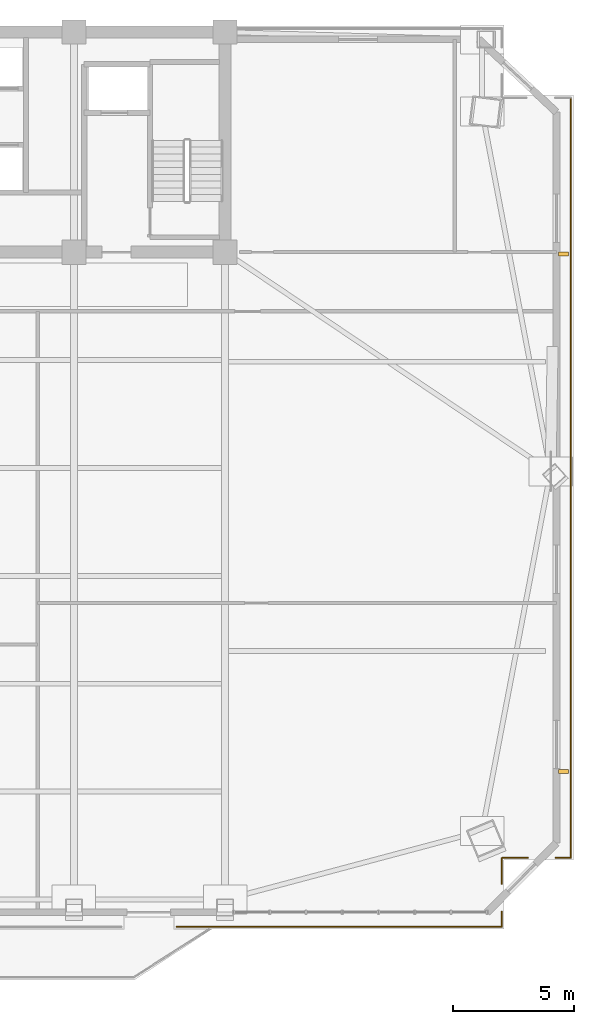
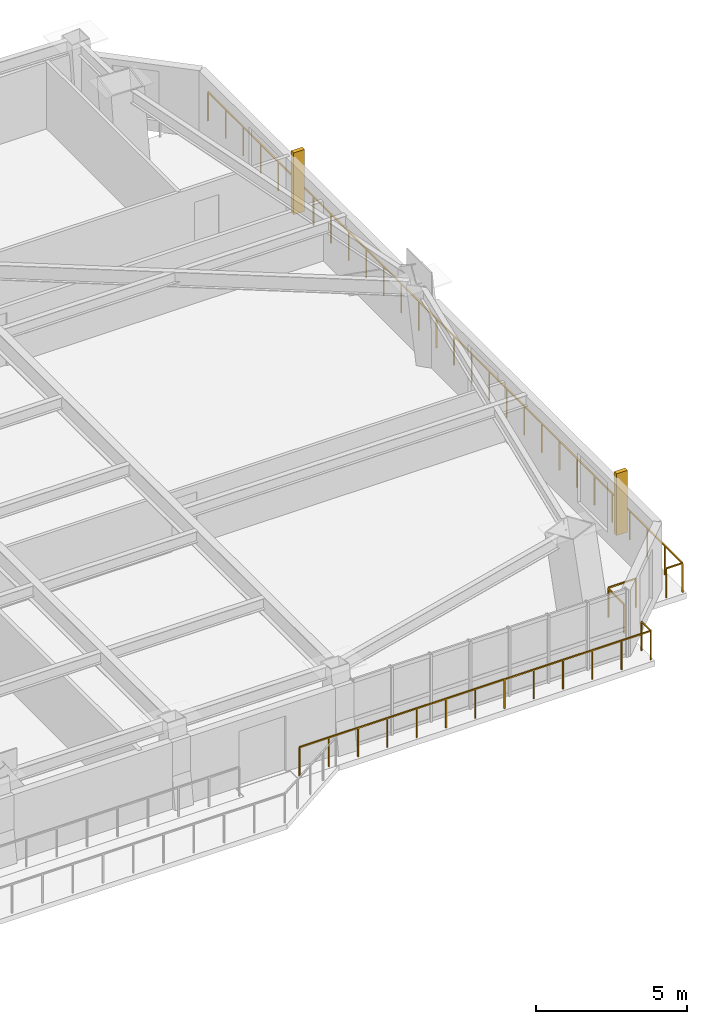
# One storey, part 13 of 15: 6 railings, 2 shading devices.
"""IFC4 building model written with IfcOpenShell, lengths in metres."""

from ifc_helpers import new_model, si_unit, direction, frame, origin, origin_2d, place, context, subcontext, project, spatial, rectangle, extrude, source, transform, mapped, material, type_object, element, save


model = new_model("IFC4")

# Units and contexts
model_context = context("Model", 3, precision=1e-05, world=origin(), true_north=direction((0.0, 1.0)))
body_context = subcontext(model_context, "Body", "Model", "MODEL_VIEW")
ifc_project = project(units=[si_unit("LENGTHUNIT", "METRE"), si_unit("AREAUNIT", "SQUARE_METRE"), si_unit("VOLUMEUNIT", "CUBIC_METRE"), si_unit("PLANEANGLEUNIT", "RADIAN"), si_unit("MASSUNIT", "GRAM", prefix="KILO")], contexts=[model_context])

# Site, building, storey
site_placement = place(None, origin())
site = spatial("IfcSite", under=ifc_project, at=site_placement, CompositionType="ELEMENT")
building_placement = place(site_placement, origin())
building = spatial("IfcBuilding", under=site, at=building_placement, Name="Giltprow Tower", CompositionType="ELEMENT")
storey_placement = place(building_placement, frame((0.0, 0.0, 187.699951171875)))
storey = spatial("IfcBuildingStorey", under=building, at=storey_placement, Name="L47", CompositionType="ELEMENT", Elevation=187.699951171875)

# Railings
ifc_material = material(Name="Anodized bronze", Category="metal")
railing_type = type_object("IfcRailingType", Name="RAIL-BALC-GUARD-1200", PredefinedType="BALUSTRADE", material=ifc_material)
railing_1_placement = place(storey_placement, frame((64.846923828125, 43.839111328125, 0.0)))
element("IfcRailing", 1, at=railing_1_placement, inside=storey, type_object=railing_type, Name="L47 Corner Apron Edge Balustrade 18", PredefinedType="BALUSTRADE", context=body_context, shape_type="SweptSolid", body=[
    extrude(rectangle(XDim=0.048095703125, YDim=0.048095703125, at=origin_2d()), frame((0.0, 0.0, 1.17578125), z_axis=(0.0, -1.0, 0.0), x_axis=(1.0, 0.0, 0.0)), (0.0, 0.0, 1.0), 31.424072265625),
    extrude(rectangle(XDim=0.0419921875, YDim=0.0419921875, at=origin_2d()), origin(), (0.0, 0.0, 1.0), 1.15185546875),
    extrude(rectangle(XDim=0.0419921875, YDim=0.0419921875, at=origin_2d()), frame((0.0, -1.163818359375, 0.0)), (0.0, 0.0, 1.0), 1.15185546875),
    extrude(rectangle(XDim=0.0419921875, YDim=0.0419921875, at=origin_2d()), frame((0.0, -2.32763671875, 0.0)), (0.0, 0.0, 1.0), 1.15185546875),
    extrude(rectangle(XDim=0.0419921875, YDim=0.0419921875, at=origin_2d()), frame((0.0, -3.491455078125, 0.0)), (0.0, 0.0, 1.0), 1.15185546875),
    extrude(rectangle(XDim=0.0419921875, YDim=0.0419921875, at=origin_2d()), frame((0.0, -4.655517578125, 0.0)), (0.0, 0.0, 1.0), 1.15185546875),
    extrude(rectangle(XDim=0.0419921875, YDim=0.0419921875, at=origin_2d()), frame((0.0, -5.8193359375, 0.0)), (0.0, 0.0, 1.0), 1.15185546875),
    extrude(rectangle(XDim=0.0419921875, YDim=0.0419921875, at=origin_2d()), frame((0.0, -6.983154296875, 0.0)), (0.0, 0.0, 1.0), 1.15185546875),
    extrude(rectangle(XDim=0.0419921875, YDim=0.0419921875, at=origin_2d()), frame((0.0, -8.14697265625, 0.0)), (0.0, 0.0, 1.0), 1.15185546875),
    extrude(rectangle(XDim=0.0419921875, YDim=0.0419921875, at=origin_2d()), frame((0.0, -9.310791015625, 0.0)), (0.0, 0.0, 1.0), 1.15185546875),
    extrude(rectangle(XDim=0.0419921875, YDim=0.0419921875, at=origin_2d()), frame((0.0, -10.474609375, 0.0)), (0.0, 0.0, 1.0), 1.15185546875),
    extrude(rectangle(XDim=0.0419921875, YDim=0.0419921875, at=origin_2d()), frame((0.0, -11.638427734375, 0.0)), (0.0, 0.0, 1.0), 1.15185546875),
    extrude(rectangle(XDim=0.0419921875, YDim=0.0419921875, at=origin_2d()), frame((0.0, -12.802490234375, 0.0)), (0.0, 0.0, 1.0), 1.15185546875),
    extrude(rectangle(XDim=0.0419921875, YDim=0.0419921875, at=origin_2d()), frame((0.0, -13.96630859375, 0.0)), (0.0, 0.0, 1.0), 1.15185546875),
    extrude(rectangle(XDim=0.0419921875, YDim=0.0419921875, at=origin_2d()), frame((0.0, -15.130126953125, 0.0)), (0.0, 0.0, 1.0), 1.15185546875),
    extrude(rectangle(XDim=0.0419921875, YDim=0.0419921875, at=origin_2d()), frame((0.0, -16.2939453125, 0.0)), (0.0, 0.0, 1.0), 1.15185546875),
    extrude(rectangle(XDim=0.0419921875, YDim=0.0419921875, at=origin_2d()), frame((0.0, -17.457763671875, 0.0)), (0.0, 0.0, 1.0), 1.15185546875),
    extrude(rectangle(XDim=0.0419921875, YDim=0.0419921875, at=origin_2d()), frame((0.0, -18.62158203125, 0.0)), (0.0, 0.0, 1.0), 1.15185546875),
    extrude(rectangle(XDim=0.0419921875, YDim=0.0419921875, at=origin_2d()), frame((0.0, -19.78564453125, 0.0)), (0.0, 0.0, 1.0), 1.15185546875),
    extrude(rectangle(XDim=0.0419921875, YDim=0.0419921875, at=origin_2d()), frame((0.0, -20.949462890625, 0.0)), (0.0, 0.0, 1.0), 1.15185546875),
    extrude(rectangle(XDim=0.0419921875, YDim=0.0419921875, at=origin_2d()), frame((0.0, -22.11328125, 0.0)), (0.0, 0.0, 1.0), 1.15185546875),
    extrude(rectangle(XDim=0.0419921875, YDim=0.0419921875, at=origin_2d()), frame((0.0, -23.277099609375, 0.0)), (0.0, 0.0, 1.0), 1.15185546875),
    extrude(rectangle(XDim=0.0419921875, YDim=0.0419921875, at=origin_2d()), frame((0.0, -24.44091796875, 0.0)), (0.0, 0.0, 1.0), 1.15185546875),
    extrude(rectangle(XDim=0.0419921875, YDim=0.0419921875, at=origin_2d()), frame((0.0, -25.604736328125, 0.0)), (0.0, 0.0, 1.0), 1.15185546875),
    extrude(rectangle(XDim=0.0419921875, YDim=0.0419921875, at=origin_2d()), frame((0.0, -26.7685546875, 0.0)), (0.0, 0.0, 1.0), 1.15185546875),
    extrude(rectangle(XDim=0.0419921875, YDim=0.0419921875, at=origin_2d()), frame((0.0, -27.9326171875, 0.0)), (0.0, 0.0, 1.0), 1.15185546875),
    extrude(rectangle(XDim=0.0419921875, YDim=0.0419921875, at=origin_2d()), frame((0.0, -29.096435546875, 0.0)), (0.0, 0.0, 1.0), 1.15185546875),
    extrude(rectangle(XDim=0.0419921875, YDim=0.0419921875, at=origin_2d()), frame((0.0, -30.26025390625, 0.0)), (0.0, 0.0, 1.0), 1.15185546875),
    extrude(rectangle(XDim=0.0419921875, YDim=0.0419921875, at=origin_2d()), frame((0.0, -31.424072265625, 0.0)), (0.0, 0.0, 1.0), 1.15185546875),
])
railing_2_placement = place(storey_placement, frame((64.846923828125, 12.4150390625, 0.0)))
element("IfcRailing", 2, at=railing_2_placement, inside=storey, type_object=railing_type, Name="L47 Corner Apron Edge Balustrade 19", PredefinedType="BALUSTRADE", context=body_context, shape_type="SweptSolid", body=[
    extrude(rectangle(XDim=0.048095703125, YDim=0.048095703125, at=origin_2d()), frame((0.0, 0.0, 1.17578125), z_axis=(-1.0, 0.0, 0.0), x_axis=(0.0, -1.0, 0.0)), (0.0, 0.0, 1.0), 0.619873046875),
    extrude(rectangle(XDim=0.0419921875, YDim=0.0419921875, at=origin_2d()), origin(), (0.0, 0.0, 1.0), 1.15185546875),
    extrude(rectangle(XDim=0.0419921875, YDim=0.0419921875, at=origin_2d()), frame((-0.619873046875, 0.0, 0.0)), (0.0, 0.0, 1.0), 1.15185546875),
])
railing_3_placement = place(storey_placement, frame((63.06689453125, 12.4150390625, 0.0)))
element("IfcRailing", 3, at=railing_3_placement, inside=storey, type_object=railing_type, Name="L47 Corner Apron Edge Balustrade 20", PredefinedType="BALUSTRADE", context=body_context, shape_type="SweptSolid", body=[
    extrude(rectangle(XDim=0.048095703125, YDim=0.048095703125, at=origin_2d()), frame((0.0, 0.0, 1.17578125), z_axis=(-1.0, 0.0, 0.0), x_axis=(0.0, -1.0, 0.0)), (0.0, 0.0, 1.0), 1.0458984375),
    extrude(rectangle(XDim=0.0419921875, YDim=0.0419921875, at=origin_2d()), origin(), (0.0, 0.0, 1.0), 1.15185546875),
    extrude(rectangle(XDim=0.0419921875, YDim=0.0419921875, at=origin_2d()), frame((-1.0458984375, 0.0, 0.0)), (0.0, 0.0, 1.0), 1.15185546875),
])
railing_4_placement = place(storey_placement, frame((61.986083984375, 12.3798828125, 0.0)))
element("IfcRailing", 4, at=railing_4_placement, inside=storey, type_object=railing_type, Name="L47 Corner Apron Edge Balustrade 21", PredefinedType="BALUSTRADE", context=body_context, shape_type="SweptSolid", body=[
    extrude(rectangle(XDim=0.048095703125, YDim=0.048095703125, at=origin_2d()), frame((0.0, 0.0, 1.17578125), z_axis=(0.0, -1.0, 0.0), x_axis=(1.0, 0.0, 0.0)), (0.0, 0.0, 1.0), 1.0458984375),
    extrude(rectangle(XDim=0.0419921875, YDim=0.0419921875, at=origin_2d()), origin(), (0.0, 0.0, 1.0), 1.15185546875),
    extrude(rectangle(XDim=0.0419921875, YDim=0.0419921875, at=origin_2d()), frame((0.0, -1.0458984375, 0.0)), (0.0, 0.0, 1.0), 1.15185546875),
])
railing_5_placement = place(storey_placement, frame((61.986083984375, 10.174072265625, 0.0)))
element("IfcRailing", 5, at=railing_5_placement, inside=storey, type_object=railing_type, Name="L47 Corner Apron Edge Balustrade 22", PredefinedType="BALUSTRADE", context=body_context, shape_type="SweptSolid", body=[
    extrude(rectangle(XDim=0.048095703125, YDim=0.048095703125, at=origin_2d()), frame((0.0, 0.0, 1.17578125), z_axis=(0.0, -1.0, 0.0), x_axis=(1.0, 0.0, 0.0)), (0.0, 0.0, 1.0), 0.6201171875),
    extrude(rectangle(XDim=0.0419921875, YDim=0.0419921875, at=origin_2d()), origin(), (0.0, 0.0, 1.0), 1.15185546875),
    extrude(rectangle(XDim=0.0419921875, YDim=0.0419921875, at=origin_2d()), frame((0.0, -0.6201171875, 0.0)), (0.0, 0.0, 1.0), 1.15185546875),
])
railing_6_placement = place(storey_placement, frame((61.986083984375, 9.553955078125, 0.0)))
element("IfcRailing", 6, at=railing_6_placement, inside=storey, type_object=railing_type, Name="L47 Corner Apron Edge Balustrade 23", PredefinedType="BALUSTRADE", context=body_context, shape_type="SweptSolid", body=[
    extrude(rectangle(XDim=0.048095703125, YDim=0.048095703125, at=origin_2d()), frame((0.0, 0.0, 1.17578125), z_axis=(-1.0, 0.0, 0.0), x_axis=(0.0, -1.0, 0.0)), (0.0, 0.0, 1.0), 13.43603515625),
    extrude(rectangle(XDim=0.0419921875, YDim=0.0419921875, at=origin_2d()), origin(), (0.0, 0.0, 1.0), 1.15185546875),
    extrude(rectangle(XDim=0.0419921875, YDim=0.0419921875, at=origin_2d()), frame((-1.11962890625, 0.0, 0.0)), (0.0, 0.0, 1.0), 1.15185546875),
    extrude(rectangle(XDim=0.0419921875, YDim=0.0419921875, at=origin_2d()), frame((-2.2392578125, 0.0, 0.0)), (0.0, 0.0, 1.0), 1.15185546875),
    extrude(rectangle(XDim=0.0419921875, YDim=0.0419921875, at=origin_2d()), frame((-3.35888671875, 0.0, 0.0)), (0.0, 0.0, 1.0), 1.15185546875),
    extrude(rectangle(XDim=0.0419921875, YDim=0.0419921875, at=origin_2d()), frame((-4.478759765625, 0.0, 0.0)), (0.0, 0.0, 1.0), 1.15185546875),
    extrude(rectangle(XDim=0.0419921875, YDim=0.0419921875, at=origin_2d()), frame((-5.598388671875, 0.0, 0.0)), (0.0, 0.0, 1.0), 1.15185546875),
    extrude(rectangle(XDim=0.0419921875, YDim=0.0419921875, at=origin_2d()), frame((-6.718017578125, 0.0, 0.0)), (0.0, 0.0, 1.0), 1.15185546875),
    extrude(rectangle(XDim=0.0419921875, YDim=0.0419921875, at=origin_2d()), frame((-7.837646484375, 0.0, 0.0)), (0.0, 0.0, 1.0), 1.15185546875),
    extrude(rectangle(XDim=0.0419921875, YDim=0.0419921875, at=origin_2d()), frame((-8.957275390625, 0.0, 0.0)), (0.0, 0.0, 1.0), 1.15185546875),
    extrude(rectangle(XDim=0.0419921875, YDim=0.0419921875, at=origin_2d()), frame((-10.0771484375, 0.0, 0.0)), (0.0, 0.0, 1.0), 1.15185546875),
    extrude(rectangle(XDim=0.0419921875, YDim=0.0419921875, at=origin_2d()), frame((-11.19677734375, 0.0, 0.0)), (0.0, 0.0, 1.0), 1.15185546875),
    extrude(rectangle(XDim=0.0419921875, YDim=0.0419921875, at=origin_2d()), frame((-12.31640625, 0.0, 0.0)), (0.0, 0.0, 1.0), 1.15185546875),
    extrude(rectangle(XDim=0.0419921875, YDim=0.0419921875, at=origin_2d()), frame((-13.43603515625, 0.0, 0.0)), (0.0, 0.0, 1.0), 1.15185546875),
])

# Shading devices
shading_device_type = type_object("IfcShadingDeviceType", Name="SHD-FIN-420", PredefinedType="USERDEFINED", material=ifc_material)
shared_shape = source(origin(), body_context, "Body", "SweptSolid", [
    extrude(rectangle(XDim=0.419921875, YDim=0.159912109375, at=origin_2d()), origin(), (0.0, 0.0, 1.0), 2.5),
])
for number, where, z_axis, x_axis, name in (
    (7, (64.547119140625, 15.972900390625, 0.35009765625), (0.0, 0.0, 1.0), (1.0, 0.0, 0.0), "L47 E Bronze Vertical Fin 1-1"),
    (8, (64.547119140625, 37.3701171875, 0.35009765625), (0.0, 0.0, 1.0), (1.0, 0.0, 0.0), "L47 E Bronze Vertical Fin 2-1"),
):
    element("IfcShadingDevice", number, at=place(storey_placement, frame(where, z_axis=z_axis, x_axis=x_axis)), inside=storey, type_object=shading_device_type, Name=name, ObjectType="FIN", PredefinedType="USERDEFINED", context=body_context, shape_type="MappedRepresentation", body=[
        mapped(shared_shape, transform((0.0, 0.0, 0.0), x_axis=(1.0, 0.0, 0.0), y_axis=(0.0, 1.0, 0.0), z_axis=(0.0, 0.0, 1.0), scale=1.0)),
    ])

save(model, "model.ifc")
